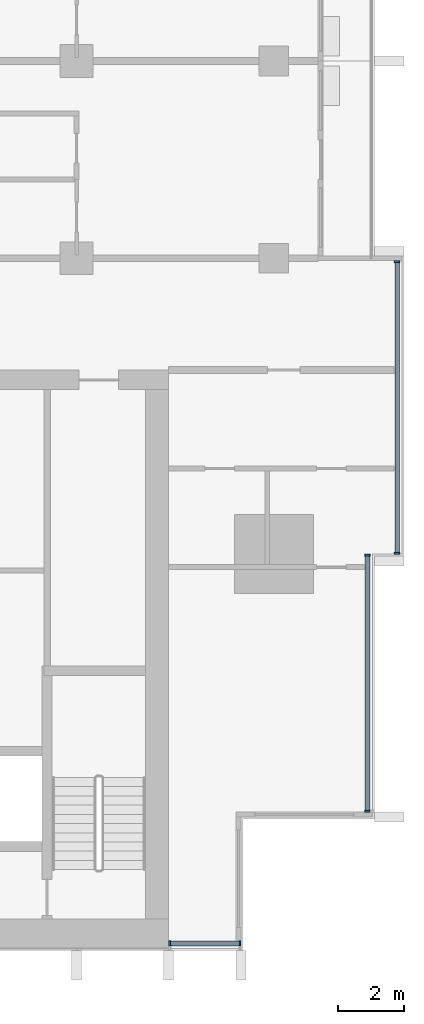
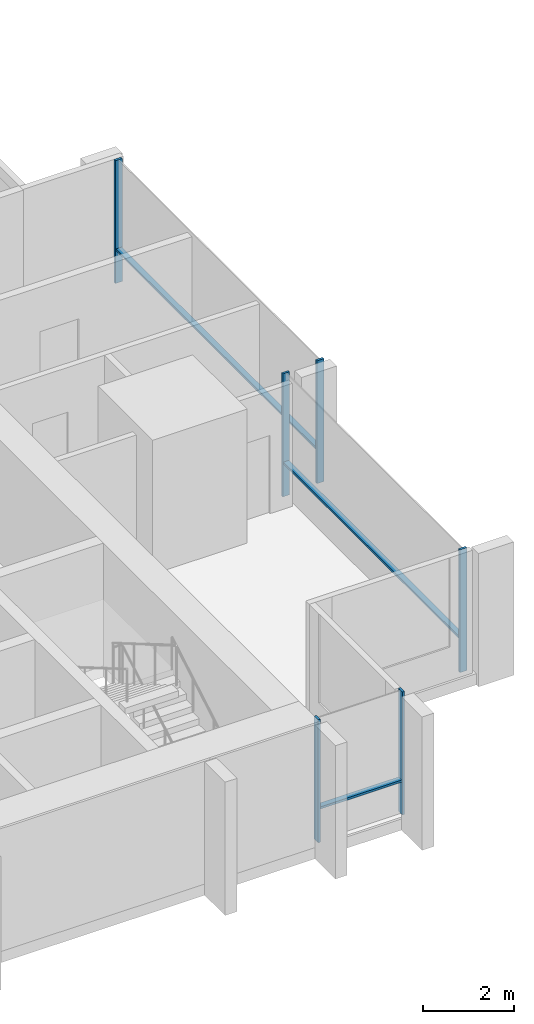
# One storey, part 3 of 17: 9 members, 3 elements without a shape of their own.
"""IFC4 building model written with IfcOpenShell, lengths in metres."""

from ifc_helpers import new_model, si_unit, direction, frame, origin, origin_2d, place, context, subcontext, project, spatial, rectangle, extrude, material, material_profile, profile_set, type_object, element, aggregate, save


model = new_model("IFC4")

# Units and contexts
model_context = context("Model", 3, precision=1e-05, world=origin(), true_north=direction((0.0, 1.0)))
body_context = subcontext(model_context, "Body", "Model", "MODEL_VIEW")
ifc_project = project(units=[si_unit("LENGTHUNIT", "METRE"), si_unit("AREAUNIT", "SQUARE_METRE"), si_unit("VOLUMEUNIT", "CUBIC_METRE"), si_unit("PLANEANGLEUNIT", "RADIAN"), si_unit("MASSUNIT", "GRAM", prefix="KILO")], contexts=[model_context])

# Site, building, storey
site_placement = place(None, origin())
site = spatial("IfcSite", under=ifc_project, at=site_placement, CompositionType="ELEMENT")
building_placement = place(site_placement, origin())
building = spatial("IfcBuilding", under=site, at=building_placement, Name="Finial Court Residences", CompositionType="ELEMENT")
storey_placement = place(building_placement, frame((0.0, 0.0, 167.300048828125)))
storey = spatial("IfcBuildingStorey", under=building, at=storey_placement, Name="L41", CompositionType="ELEMENT", Elevation=167.300048828125)

# Curtain wall, members
ifc_material = material(Name="Bronze anodised aluminium", Category="aluminium")
curtain_wall_type = type_object("IfcCurtainWallType", Name="Unitised curtain wall, upper zones", PredefinedType="NOTDEFINED", material=ifc_material)
curtain_wall_1_placement = place(storey_placement, origin())
curtain_wall_1 = element("IfcCurtainWall", 1, at=curtain_wall_1_placement, inside=storey, type_object=curtain_wall_type, Name="E-L41-CW-E4", PredefinedType="NOTDEFINED")
ifc_material_profile_1 = material_profile(ifc_material, rectangle(XDim=0.175048828125, YDim=0.06005859375, at=origin_2d()), Name="CW2 mullion 60 x 175")
ifc_profile_set_1 = profile_set([ifc_material_profile_1], Name="Bronze anodised aluminium")
member_type_1 = type_object("IfcMemberType", Name="CW2 mullion 60 x 175", PredefinedType="MULLION", material=ifc_profile_set_1)
member_1_placement = place(storey_placement, frame((19.35009765625, -21.320068359375, 0.0), z_axis=(0.0, 0.0, 1.0), x_axis=(-1.0, 0.0, 0.0)))
member_1 = element("IfcMember", 2, at=member_1_placement, type_object=member_type_1, Name="CW2 mullion 1", PredefinedType="MULLION", context=body_context, shape_type="SweptSolid", body=[
    extrude(rectangle(XDim=0.175048828125, YDim=0.06005859375, at=origin_2d()), origin(), (0.0, 0.0, 1.0), 3.300048828125),
])
member_2_placement = place(storey_placement, frame((19.35009765625, -13.530029296875, 0.0), z_axis=(0.0, 0.0, 1.0), x_axis=(-1.0, 0.0, 0.0)))
member_2 = element("IfcMember", 3, at=member_2_placement, type_object=member_type_1, Name="CW2 mullion 2", PredefinedType="MULLION", context=body_context, shape_type="SweptSolid", body=[
    extrude(rectangle(XDim=0.175048828125, YDim=0.06005859375, at=origin_2d()), origin(), (0.0, 0.0, 1.0), 3.300048828125),
])

curtain_wall_2_placement = place(storey_placement, origin())
curtain_wall_2 = element("IfcCurtainWall", 4, at=curtain_wall_2_placement, inside=storey, type_object=curtain_wall_type, Name="E-L41-CW-E5", PredefinedType="NOTDEFINED")
member_3_placement = place(storey_placement, frame((20.25, -13.469970703125, 0.0), z_axis=(0.0, 0.0, 1.0), x_axis=(-1.0, 0.0, 0.0)))
member_3 = element("IfcMember", 5, at=member_3_placement, type_object=member_type_1, Name="CW2 mullion 1", PredefinedType="MULLION", context=body_context, shape_type="SweptSolid", body=[
    extrude(rectangle(XDim=0.175048828125, YDim=0.06005859375, at=origin_2d()), origin(), (0.0, 0.0, 1.0), 3.300048828125),
])
member_4_placement = place(storey_placement, frame((20.25, -4.60498046875, 0.0), z_axis=(0.0, 0.0, 1.0), x_axis=(-1.0, 0.0, 0.0)))
member_4 = element("IfcMember", 6, at=member_4_placement, type_object=member_type_1, Name="CW2 mullion 2", PredefinedType="MULLION", context=body_context, shape_type="SweptSolid", body=[
    extrude(rectangle(XDim=0.175048828125, YDim=0.06005859375, at=origin_2d()), origin(), (0.0, 0.0, 1.0), 3.300048828125),
])

curtain_wall_3_placement = place(storey_placement, origin())
curtain_wall_3 = element("IfcCurtainWall", 7, at=curtain_wall_3_placement, inside=storey, type_object=curtain_wall_type, Name="E-L41-CW-S8", PredefinedType="NOTDEFINED")
member_5_placement = place(storey_placement, frame((13.330078125, -25.35009765625, 0.0), z_axis=(0.0, 0.0, 1.0), x_axis=(0.0, 1.0, 0.0)))
member_5 = element("IfcMember", 8, at=member_5_placement, type_object=member_type_1, Name="CW2 mullion 1", PredefinedType="MULLION", context=body_context, shape_type="SweptSolid", body=[
    extrude(rectangle(XDim=0.175048828125, YDim=0.06005859375, at=origin_2d()), origin(), (0.0, 0.0, 1.0), 3.300048828125),
])
member_6_placement = place(storey_placement, frame((15.469970703125, -25.35009765625, 0.0), z_axis=(0.0, 0.0, 1.0), x_axis=(0.0, 1.0, 0.0)))
member_6 = element("IfcMember", 9, at=member_6_placement, type_object=member_type_1, Name="CW2 mullion 2", PredefinedType="MULLION", context=body_context, shape_type="SweptSolid", body=[
    extrude(rectangle(XDim=0.175048828125, YDim=0.06005859375, at=origin_2d()), origin(), (0.0, 0.0, 1.0), 3.300048828125),
])

# Member
ifc_material_profile_2 = material_profile(ifc_material, rectangle(XDim=0.139892578125, YDim=0.06005859375, at=origin_2d()), Name="CW2 transom 60 x 140")
ifc_profile_set_2 = profile_set([ifc_material_profile_2], Name="Bronze anodised aluminium")
member_type_2 = type_object("IfcMemberType", Name="CW2 transom 60 x 140", PredefinedType="USERDEFINED", material=ifc_profile_set_2)
member_7_placement = place(storey_placement, frame((19.35009765625, -21.2900390625, 0.89990234375), z_axis=(0.0, 1.0, 0.0), x_axis=(-1.0, 0.0, 0.0)))
member_7 = element("IfcMember", 10, at=member_7_placement, type_object=member_type_2, Name="CW2 transom 1.1", ObjectType="TRANSOM", PredefinedType="USERDEFINED", context=body_context, shape_type="SweptSolid", body=[
    extrude(rectangle(XDim=0.139892578125, YDim=0.06005859375, at=origin_2d()), origin(), (0.0, 0.0, 1.0), 7.72998046875),
])

aggregate(curtain_wall_1, [member_1, member_2, member_7])

member_8_placement = place(storey_placement, frame((20.25, -13.43994140625, 0.89990234375), z_axis=(0.0, 1.0, 0.0), x_axis=(-1.0, 0.0, 0.0)))
member_8 = element("IfcMember", 11, at=member_8_placement, type_object=member_type_2, Name="CW2 transom 1.1", ObjectType="TRANSOM", PredefinedType="USERDEFINED", context=body_context, shape_type="SweptSolid", body=[
    extrude(rectangle(XDim=0.139892578125, YDim=0.06005859375, at=origin_2d()), origin(), (0.0, 0.0, 1.0), 8.804931640625),
])

aggregate(curtain_wall_2, [member_3, member_4, member_8])

member_9_placement = place(storey_placement, frame((13.360107421875, -25.35009765625, 0.89990234375), z_axis=(1.0, 0.0, 0.0), x_axis=(0.0, 1.0, 0.0)))
member_9 = element("IfcMember", 12, at=member_9_placement, type_object=member_type_2, Name="CW2 transom 1.1", ObjectType="TRANSOM", PredefinedType="USERDEFINED", context=body_context, shape_type="SweptSolid", body=[
    extrude(rectangle(XDim=0.139892578125, YDim=0.06005859375, at=origin_2d()), origin(), (0.0, 0.0, 1.0), 2.079833984375),
])

aggregate(curtain_wall_3, [member_5, member_6, member_9])

save(model, "model.ifc")
